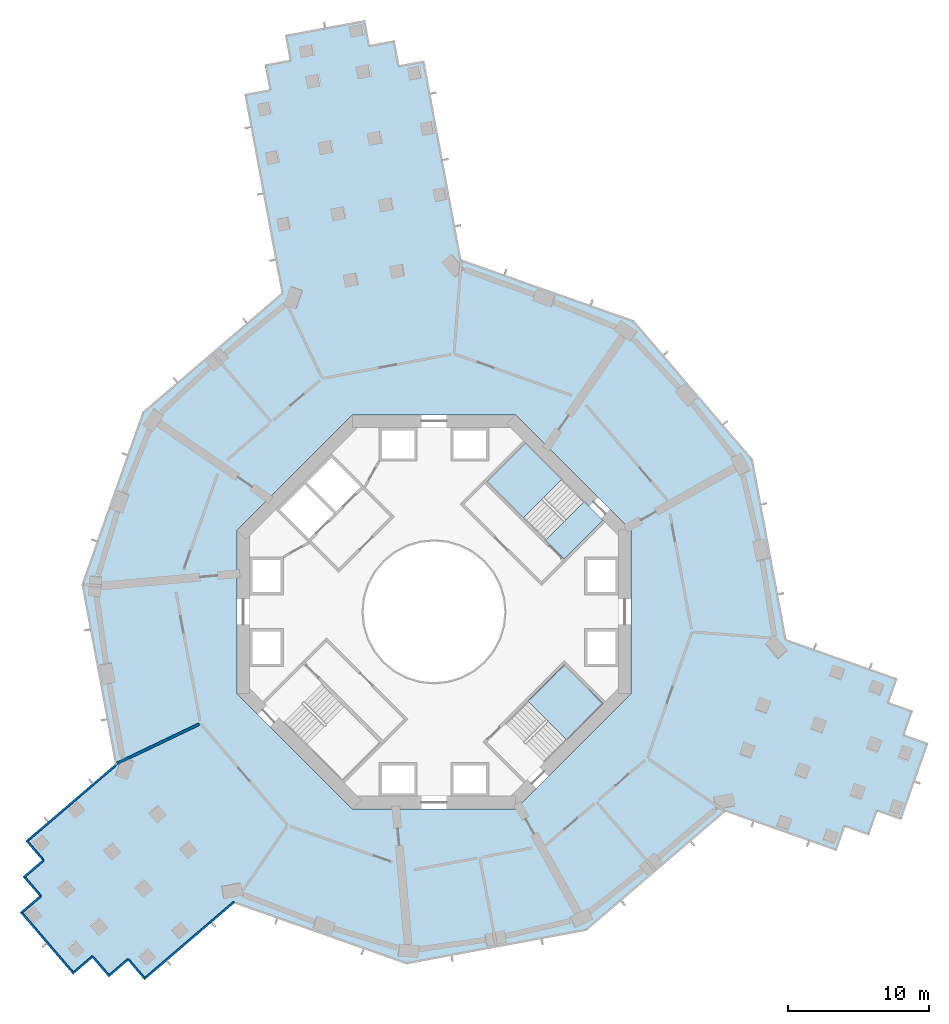
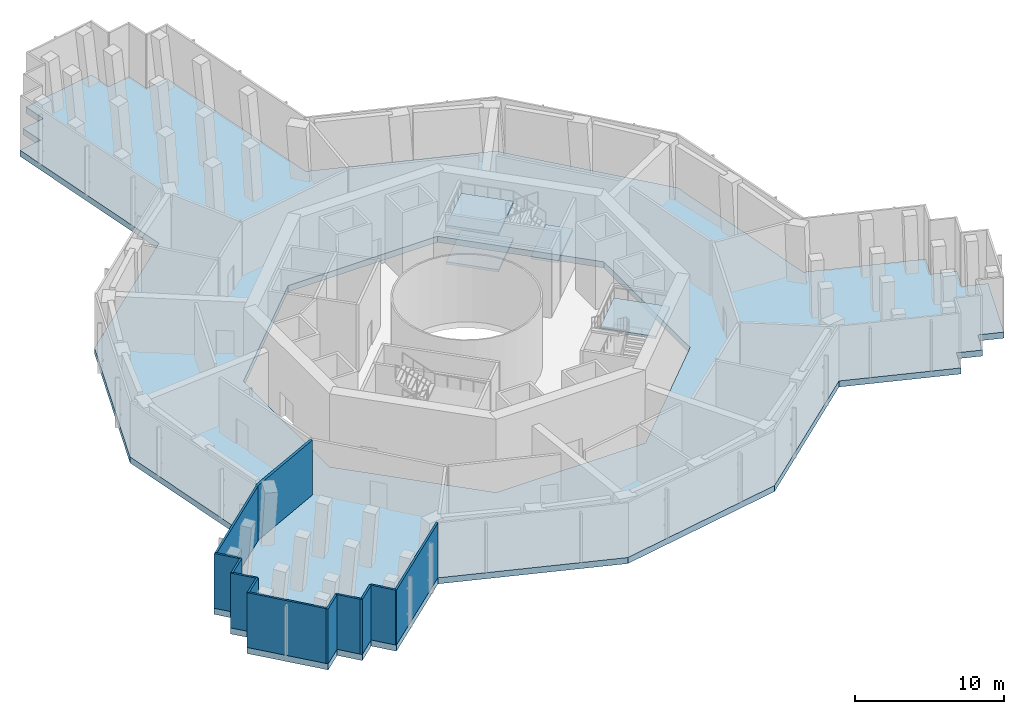
# One storey, part 2 of 20: 12 walls, 5 slabs, 2 elements without a shape of their own.
"""IFC4 building model written with IfcOpenShell, lengths in metres."""

import ifcopenshell
import ifcopenshell.guid

model = None  # the IFC model being written
_history = None  # IfcOwnerHistory: only IFC2X3 demands one
_inside = {}  # id of a spatial element -> (the spatial element, [elements in it])
_under = {}  # id of a project, library or spatial element -> (it, [spatial elements below it])
_declared = {}  # id of a project -> (the project, [libraries it declares])
_typed = {}  # id of a type object -> (the type object, [elements of that type])
_made_of = {}  # id of a material, layer set ... -> (it, [elements and type objects made of it])


def new_model(schema):
    """Start an empty IFC model of exactly this schema.

    Asked for "IFC4X3", IfcOpenShell would pick the latest addendum, in which some entities
    have other attributes; the version numbers below select the first issue.
    IFC2X3 requires an IfcOwnerHistory on every rooted entity: one is made here for all.
    """
    global model, _history
    if schema == "IFC4X3":
        model = ifcopenshell.file(schema_version=(4, 3, 0, 0))
    else:
        model = ifcopenshell.file(schema=schema)
    _inside.clear()
    _under.clear()
    _declared.clear()
    _typed.clear()
    _made_of.clear()
    _history = None
    if model.schema == "IFC2X3":
        org = make("IfcOrganization", Name="unknown")
        user = make(
            "IfcPersonAndOrganization",
            ThePerson=make("IfcPerson", FamilyName="unknown"),
            TheOrganization=org,
        )
        app = make(
            "IfcApplication",
            ApplicationDeveloper=org,
            Version="unknown",
            ApplicationFullName="unknown",
            ApplicationIdentifier="unknown",
        )
        _history = make(
            "IfcOwnerHistory",
            OwningUser=user,
            OwningApplication=app,
            ChangeAction="ADDED",
            CreationDate=0,
        )
    return model


def make(cls, **values):
    """One entity of the class cls with the attributes given. An attribute that is None is left unset."""
    return model.create_entity(
        cls, **{name: value for name, value in values.items() if value is not None}
    )


def rooted(cls, **values):
    """An entity with a GlobalId (a new one), such as an element, a storey or a relation."""
    return make(cls, GlobalId=ifcopenshell.guid.new(), OwnerHistory=_history, **values)


def si_unit(unit_type, name, prefix=None):
    """IfcSIUnit, for example si_unit("LENGTHUNIT", "METRE", prefix="MILLI")."""
    return make("IfcSIUnit", UnitType=unit_type, Prefix=prefix, Name=name)


def assignment(units):
    """IfcUnitAssignment: the units of a project."""
    return None if units is None else make("IfcUnitAssignment", Units=units)


def point(xyz):
    """IfcCartesianPoint."""
    return None if xyz is None else make("IfcCartesianPoint", Coordinates=xyz)


def direction(xyz):
    """IfcDirection."""
    return None if xyz is None else make("IfcDirection", DirectionRatios=xyz)


def frame(location, z_axis=None, x_axis=None):
    """IfcAxis2Placement3D, a coordinate frame: its origin and axes. An axis left out is left unset."""
    return make(
        "IfcAxis2Placement3D",
        Location=point(location),
        Axis=direction(z_axis),
        RefDirection=direction(x_axis),
    )


def frame_2d(location, x_axis=None):
    """IfcAxis2Placement2D, a coordinate frame in the plane: its origin and x axis."""
    return make(
        "IfcAxis2Placement2D", Location=point(location), RefDirection=direction(x_axis)
    )


def origin():
    """The frame at (0, 0, 0) with its axes left unset."""
    return frame((0.0, 0.0, 0.0))


def place(relative_to, where):
    """IfcLocalPlacement: puts the frame where relative to a parent placement (None: the world)."""
    return make(
        "IfcLocalPlacement", PlacementRelTo=relative_to, RelativePlacement=where
    )


def context(
    kind, dimensions, precision=None, world=None, true_north=None, identifier=None
):
    """IfcGeometricRepresentationContext, for example the 3D "Model" context."""
    return make(
        "IfcGeometricRepresentationContext",
        ContextIdentifier=identifier,
        ContextType=kind,
        CoordinateSpaceDimension=dimensions,
        Precision=precision,
        WorldCoordinateSystem=world,
        TrueNorth=true_north,
    )


def subcontext(parent, identifier, kind, view, scale=None):
    """IfcGeometricRepresentationSubContext, for example "Body" below "Model"."""
    return make(
        "IfcGeometricRepresentationSubContext",
        ContextIdentifier=identifier,
        ContextType=kind,
        ParentContext=parent,
        TargetScale=scale,
        TargetView=view,
    )


def project(units=None, contexts=None):
    """IfcProject with its units and contexts."""
    return rooted(
        "IfcProject",
        Name="project",
        RepresentationContexts=contexts,
        UnitsInContext=assignment(units),
    )


def spatial(cls, under=None, at=None, **own):
    """A site, building, storey or space (cls), placed at a placement, below another one or the project."""
    s = rooted(cls, ObjectPlacement=at, **own)
    if under is not None:
        _under.setdefault(under.id(), (under, []))[1].append(s)
    return s


def polyline(points):
    """IfcPolyline through the points."""
    return make("IfcPolyline", Points=[point(p) for p in points])


def profile(cls, at=None, kind="AREA", **sizes):
    """A parametric profile (cls). Its sizes go by their IFC names, for example OverallWidth=200.0."""
    return make(cls, ProfileType=kind, Position=at, **sizes)


def rectangle(**sizes):
    """IfcRectangleProfileDef."""
    return profile("IfcRectangleProfileDef", **sizes)


def outline(outer, holes=None, kind="AREA"):
    """IfcArbitraryClosedProfileDef: a profile drawn as a closed curve; with holes, ...WithVoids."""
    if holes is None:
        return make("IfcArbitraryClosedProfileDef", ProfileType=kind, OuterCurve=outer)
    return make(
        "IfcArbitraryProfileDefWithVoids",
        ProfileType=kind,
        OuterCurve=outer,
        InnerCurves=holes,
    )


def extrude(swept, where, along, depth):
    """IfcExtrudedAreaSolid: the profile swept, set in the frame where, extruded along a direction by depth."""
    return make(
        "IfcExtrudedAreaSolid",
        SweptArea=swept,
        Position=where,
        ExtrudedDirection=direction(along),
        Depth=depth,
    )


def shape(context_of_items, identifier, shape_type, items):
    """IfcShapeRepresentation: the items that make up one representation, for example the "Body"."""
    return make(
        "IfcShapeRepresentation",
        ContextOfItems=context_of_items,
        RepresentationIdentifier=identifier,
        RepresentationType=shape_type,
        Items=items,
    )


def material(Name=None, Category=None):
    """IfcMaterial."""
    return make("IfcMaterial", Name=Name, Category=Category)


def layer(
    of_material, thickness, ventilated=None, Name=None, Category=None, Priority=None
):
    """IfcMaterialLayer: one layer of a wall or slab, of a material (None: an air gap)."""
    return make(
        "IfcMaterialLayer",
        Material=of_material,
        LayerThickness=thickness,
        IsVentilated=ventilated,
        Name=Name,
        Category=Category,
        Priority=Priority,
    )


def layer_set(layers, Name=None):
    """IfcMaterialLayerSet."""
    return make("IfcMaterialLayerSet", MaterialLayers=layers, LayerSetName=Name)


def made_of(thing, what):
    """Note that an element or type object is made of a material, layer set ...; save() writes the relation."""
    if what is not None:
        _made_of.setdefault(what.id(), (what, []))[1].append(thing)
    return thing


def type_object(cls, material=None, **own):
    """A type object (cls), such as IfcWallType, which elements share."""
    return made_of(rooted(cls, **own), material)


def element(
    cls,
    number,
    at=None,
    inside=None,
    cuts=None,
    type_object=None,
    material=None,
    context=None,
    identifier="Body",
    shape_type=None,
    held_by="IfcProductDefinitionShape",
    body=None,
    shapes=None,
    **own,
):
    """One element of the class cls, such as IfcWall. Its Tag is "e" and its number.

    at: its placement. inside: the storey or other place that contains it. cuts: it is an
    opening in that element (IfcRelVoidsElement). A single representation is given by context,
    identifier, shape_type and body (its items); several are given by shapes. held_by: the class
    of the entity that holds the representations. save() writes the other relations.
    """
    e = rooted(cls, Tag="e%d" % number, ObjectPlacement=at, **own)
    if body is not None:
        shapes = [shape(context, identifier, shape_type, body)]
    if shapes is not None:
        e.Representation = make(held_by, Representations=shapes)
    if inside is not None:
        _inside.setdefault(inside.id(), (inside, []))[1].append(e)
    if cuts is not None:
        rooted(
            "IfcRelVoidsElement", RelatingBuildingElement=cuts, RelatedOpeningElement=e
        )
    if type_object is not None:
        _typed.setdefault(type_object.id(), (type_object, []))[1].append(e)
    return made_of(e, material)


def aggregate(whole, parts):
    """IfcRelAggregates: a whole, such as a stair, and the parts it consists of."""
    return rooted("IfcRelAggregates", RelatingObject=whole, RelatedObjects=parts)


def save(model, path):
    """Write the relations noted so far, then the file.

    IfcRelAggregates (storeys below a building ...), IfcRelContainedInSpatialStructure (elements
    in a storey), IfcRelDefinesByType, IfcRelAssociatesMaterial and IfcRelDeclares: one each for
    every whole, place, type object, material and project.
    """
    for whole, parts in _under.values():
        aggregate(whole, parts)
    for where, things in _inside.values():
        rooted(
            "IfcRelContainedInSpatialStructure",
            RelatedElements=things,
            RelatingStructure=where,
        )
    for kind, things in _typed.values():
        rooted("IfcRelDefinesByType", RelatedObjects=things, RelatingType=kind)
    for what, things in _made_of.values():
        rooted("IfcRelAssociatesMaterial", RelatedObjects=things, RelatingMaterial=what)
    for by, libraries in _declared.values():
        rooted("IfcRelDeclares", RelatingContext=by, RelatedDefinitions=libraries)
    model.write(path)


model = new_model("IFC4")

# Units and contexts
model_context = context("Model", 3, precision=1e-05, world=origin(), true_north=direction((0.0, 1.0)))
body_context = subcontext(model_context, "Body", "Model", "MODEL_VIEW")
ifc_project = project(units=[si_unit("LENGTHUNIT", "METRE"), si_unit("AREAUNIT", "SQUARE_METRE"), si_unit("VOLUMEUNIT", "CUBIC_METRE"), si_unit("PLANEANGLEUNIT", "RADIAN"), si_unit("MASSUNIT", "GRAM", prefix="KILO")], contexts=[model_context])

# Site, building, storey
site_placement = place(None, origin())
site = spatial("IfcSite", under=ifc_project, at=site_placement, CompositionType="ELEMENT")
building_placement = place(site_placement, origin())
building = spatial("IfcBuilding", under=site, at=building_placement, Name="Verdalira Terraces Hotel", CompositionType="ELEMENT")
storey_placement = place(building_placement, frame((0.0, 0.0, 75.0)))
storey = spatial("IfcBuildingStorey", under=building, at=storey_placement, Name="L17", CompositionType="ELEMENT", Elevation=75.0)

# Stair, slabs
ifc_material_1 = material(Name="Concrete C40", Category="concrete")
stair_type = type_object("IfcStairType", Name="Core stair 36 risers 1900 mm wide", PredefinedType="HALF_TURN_STAIR", material=ifc_material_1)
stair_1_placement = place(storey_placement, origin())
stair_1 = element("IfcStair", 1, at=stair_1_placement, inside=storey, type_object=stair_type, Name="L17 Exit stair ST1", PredefinedType="HALF_TURN_STAIR")
ifc_material_2 = material(Name="Concrete C40", Category="concrete")
ifc_layer_1 = layer(ifc_material_2, 0.199951171875)
ifc_layer_set_1 = layer_set([ifc_layer_1], Name="Core stair landing 200 mm")
slab_type_1 = type_object("IfcSlabType", Name="Core stair landing 200 mm", PredefinedType="LANDING", material=ifc_layer_set_1)
slab_1_placement = place(storey_placement, frame((0.0, 0.0, 1.300049)))
slab_1 = element("IfcSlab", 2, at=slab_1_placement, type_object=slab_type_1, Name="ST1 landing 1", PredefinedType="LANDING", context=body_context, shape_type="SweptSolid", body=[
    extrude(outline(polyline([(9.09375, 9.432373), (6.505371, 12.020752), (3.747559, 9.263184), (6.335938, 6.674805), (9.09375, 9.432373)])), origin(), (0.0, 0.0, 1.0), 0.199951),
])
slab_2_placement = place(storey_placement, frame((0.0, 0.0, 2.800049)))
slab_2 = element("IfcSlab", 3, at=slab_2_placement, type_object=slab_type_1, Name="ST1 landing 2", PredefinedType="LANDING", context=body_context, shape_type="SweptSolid", body=[
    extrude(outline(polyline([(12.020752, 6.505371), (10.677002, 7.849121), (7.919189, 5.091553), (9.263184, 3.747559), (12.020752, 6.505371)])), origin(), (0.0, 0.0, 1.0), 0.199951),
])
slab_3_placement = place(storey_placement, frame((0.0, 0.0, 4.300049)))
slab_3 = element("IfcSlab", 4, at=slab_3_placement, type_object=slab_type_1, Name="ST1 landing 3", PredefinedType="LANDING", context=body_context, shape_type="SweptSolid", body=[
    extrude(outline(polyline([(9.09375, 9.432373), (6.505371, 12.020752), (3.747559, 9.263184), (6.335938, 6.674805), (9.09375, 9.432373)])), origin(), (0.0, 0.0, 1.0), 0.199951),
])
aggregate(stair_1, [slab_1, slab_2, slab_3])

# Stair, slab
stair_2_placement = place(storey_placement, origin())
stair_2 = element("IfcStair", 5, at=stair_2_placement, inside=storey, type_object=stair_type, Name="L17 Exit stair ST3", PredefinedType="HALF_TURN_STAIR")
slab_4_placement = place(storey_placement, frame((0.0, 0.0, 4.300049)))
slab_4 = element("IfcSlab", 6, at=slab_4_placement, type_object=slab_type_1, Name="ST3 landing 3", PredefinedType="LANDING", context=body_context, shape_type="SweptSolid", body=[
    extrude(outline(polyline([(9.432373, -9.09375), (12.020752, -6.505371), (9.263184, -3.747559), (6.674805, -6.335938), (9.432373, -9.09375)])), origin(), (0.0, 0.0, 1.0), 0.199951),
])
aggregate(stair_2, [slab_4])

# Slab
ifc_material_3 = material(Name="Concrete C40", Category="concrete")
ifc_layer_2 = layer(ifc_material_3, 0.5)
ifc_layer_set_2 = layer_set([ifc_layer_2], Name="Plant floor slab 500 C40")
slab_type_2 = type_object("IfcSlabType", Name="Plant floor slab 500 C40", PredefinedType="FLOOR", material=ifc_layer_set_2)
slab_5_placement = place(storey_placement, frame((0.0, 0.0, -0.5)))
element("IfcSlab", 7, at=slab_5_placement, inside=storey, type_object=slab_type_2, Name="Plant floor slab L17", PredefinedType="FLOOR", context=body_context, shape_type="SweptSolid", body=[
    extrude(outline(polyline([(14.203125, 20.711914), (1.944092, 25.038818), (-0.689209, 39.165283), (-2.45874, 38.835449), (-2.788818, 40.60498), (-4.558105, 40.274902), (-4.888184, 42.044434), (-10.589844, 40.981689), (-10.26001, 39.212158), (-12.029541, 38.88208), (-11.699707, 37.112793), (-13.468994, 36.782715), (-10.835693, 22.65625), (-20.711914, 14.203125), (-25.038818, 1.944092), (-22.65625, -10.835693), (-29.015137, -16.278076), (-27.844727, -17.645508), (-29.212158, -18.816162), (-28.041748, -20.183594), (-29.40918, -21.354004), (-25.637695, -25.760498), (-24.270264, -24.590088), (-23.099854, -25.95752), (-21.732422, -24.787109), (-20.562012, -26.154541), (-14.203125, -20.711914), (-1.944092, -25.038818), (10.835693, -22.65625), (20.711914, -14.203125), (28.604736, -16.98877), (29.203857, -15.291504), (30.901367, -15.890381), (31.500244, -14.193115), (33.197754, -14.791992), (35.128174, -9.322754), (33.430664, -8.723633), (34.029785, -7.026367), (32.33252, -6.427246), (32.931396, -4.72998), (25.038818, -1.944092), (22.65625, 10.835693), (14.203125, 20.711914)]), holes=[polyline([(5.799072, 14.0), (14.0, 5.799072), (14.0, -5.799072), (5.799072, -14.0), (-5.799072, -14.0), (-14.0, -5.799072), (-14.0, 5.799072), (-5.799072, 14.0), (5.799072, 14.0)])]), origin(), (0.0, 0.0, 1.0), 0.5),
])

# Walls
ifc_material_4 = material(Name="Fire-rated concrete block wall", Category="concrete")
ifc_layer_3 = layer(ifc_material_4, 0.199951171875)
ifc_layer_set_3 = layer_set([ifc_layer_3], Name="Plant room wall 200 mm")
wall_type_1 = type_object("IfcWallType", Name="Plant room wall 200 mm", PredefinedType="SOLIDWALL", material=ifc_layer_set_3)
wall_1_placement = place(storey_placement, frame((-16.678955, -7.976807, 0.0), z_axis=(0.0, 0.0, 1.0), x_axis=(-0.902124013, -0.431476841, 0.0)))
element("IfcWall", 8, at=wall_1_placement, inside=storey, type_object=wall_type_1, Name="Plant room wall", PredefinedType="SOLIDWALL", context=body_context, shape_type="SweptSolid", body=[
    extrude(rectangle(XDim=6.47583, YDim=0.199951, at=frame_2d((3.237793, 0.0))), origin(), (0.0, 0.0, 1.0), 4.5),
])
ifc_material_5 = material(Name="Terracotta cladding", Category="masonry")
ifc_layer_4 = layer(ifc_material_5, 0.14990234375)
ifc_layer_set_4 = layer_set([ifc_layer_4], Name="Terracotta clad wall 150")
wall_type_2 = type_object("IfcWallType", Name="Terracotta clad wall 150", PredefinedType="SOLIDWALL", material=ifc_layer_set_4)
wall_2_placement = place(storey_placement, frame((-22.598633, -10.88501, 0.0), z_axis=(0.0, 0.0, 1.0), x_axis=(-0.759725277, -0.650244188, 0.0)))
element("IfcWall", 9, at=wall_2_placement, inside=storey, type_object=wall_type_2, Name="Terracotta cladding wall", PredefinedType="SOLIDWALL", context=body_context, shape_type="SweptSolid", body=[
    extrude(rectangle(XDim=8.306641, YDim=0.149902, at=frame_2d((4.15332, 0.0))), origin(), (0.0, 0.0, 1.0), 4.5),
])
wall_3_placement = place(storey_placement, frame((-28.958008, -16.229248, 0.0), z_axis=(0.0, 0.0, 1.0), x_axis=(0.650158461, -0.759798642, 0.0)))
element("IfcWall", 10, at=wall_3_placement, inside=storey, type_object=wall_type_2, Name="Terracotta cladding wall", PredefinedType="SOLIDWALL", context=body_context, shape_type="SweptSolid", body=[
    extrude(rectangle(XDim=1.875, YDim=0.149902, at=frame_2d((0.9375, 0.0))), origin(), (0.0, 0.0, 1.0), 4.5),
])
wall_4_placement = place(storey_placement, frame((-27.739014, -17.653809, 0.0), z_axis=(0.0, 0.0, 1.0), x_axis=(-0.759715991, -0.650255037, 0.0)))
element("IfcWall", 11, at=wall_4_placement, inside=storey, type_object=wall_type_2, Name="Terracotta cladding wall", PredefinedType="SOLIDWALL", context=body_context, shape_type="SweptSolid", body=[
    extrude(rectangle(XDim=1.799805, YDim=0.149902, at=frame_2d((0.899902, 0.0))), origin(), (0.0, 0.0, 1.0), 4.5),
])
wall_5_placement = place(storey_placement, frame((-29.155273, -18.767334, 0.0), z_axis=(0.0, 0.0, 1.0), x_axis=(0.650297948, -0.759679261, 0.0)))
element("IfcWall", 12, at=wall_5_placement, inside=storey, type_object=wall_type_2, Name="Terracotta cladding wall", PredefinedType="SOLIDWALL", context=body_context, shape_type="SweptSolid", body=[
    extrude(rectangle(XDim=1.875, YDim=0.149902, at=frame_2d((0.9375, 0.0))), origin(), (0.0, 0.0, 1.0), 4.5),
])
wall_6_placement = place(storey_placement, frame((-27.936035, -20.19165, 0.0), z_axis=(0.0, 0.0, 1.0), x_axis=(-0.759648986, -0.650333313, 0.0)))
element("IfcWall", 13, at=wall_6_placement, inside=storey, type_object=wall_type_2, Name="Terracotta cladding wall", PredefinedType="SOLIDWALL", context=body_context, shape_type="SweptSolid", body=[
    extrude(rectangle(XDim=1.800049, YDim=0.149902, at=frame_2d((0.899902, 0.0))), origin(), (0.0, 0.0, 1.0), 4.5),
])
wall_7_placement = place(storey_placement, frame((-29.352295, -21.305176, 0.0), z_axis=(0.0, 0.0, 1.0), x_axis=(0.65025037, -0.759719986, 0.0)))
element("IfcWall", 14, at=wall_7_placement, inside=storey, type_object=wall_type_2, Name="Terracotta cladding wall", PredefinedType="SOLIDWALL", context=body_context, shape_type="SweptSolid", body=[
    extrude(rectangle(XDim=5.724854, YDim=0.149902, at=frame_2d((2.862305, 0.0))), origin(), (0.0, 0.0, 1.0), 4.5),
])
wall_8_placement = place(storey_placement, frame((-25.686523, -25.703369, 0.0), z_axis=(0.0, 0.0, 1.0), x_axis=(0.759679261, 0.650297948, 0.0)))
element("IfcWall", 15, at=wall_8_placement, inside=storey, type_object=wall_type_2, Name="Terracotta cladding wall", PredefinedType="SOLIDWALL", context=body_context, shape_type="SweptSolid", body=[
    extrude(rectangle(XDim=1.875, YDim=0.149902, at=frame_2d((0.9375, 0.0))), origin(), (0.0, 0.0, 1.0), 4.5),
])
wall_9_placement = place(storey_placement, frame((-24.262207, -24.484131, 0.0), z_axis=(0.0, 0.0, 1.0), x_axis=(0.650266314, -0.759706338, 0.0)))
element("IfcWall", 16, at=wall_9_placement, inside=storey, type_object=wall_type_2, Name="Terracotta cladding wall", PredefinedType="SOLIDWALL", context=body_context, shape_type="SweptSolid", body=[
    extrude(rectangle(XDim=1.800293, YDim=0.149902, at=frame_2d((0.900146, 0.0))), origin(), (0.0, 0.0, 1.0), 4.5),
])
wall_10_placement = place(storey_placement, frame((-23.148682, -25.900391, 0.0), z_axis=(0.0, 0.0, 1.0), x_axis=(0.759798642, 0.650158461, 0.0)))
element("IfcWall", 17, at=wall_10_placement, inside=storey, type_object=wall_type_2, Name="Terracotta cladding wall", PredefinedType="SOLIDWALL", context=body_context, shape_type="SweptSolid", body=[
    extrude(rectangle(XDim=1.875, YDim=0.149902, at=frame_2d((0.9375, 0.0))), origin(), (0.0, 0.0, 1.0), 4.5),
])
wall_11_placement = place(storey_placement, frame((-21.724121, -24.681396, 0.0), z_axis=(0.0, 0.0, 1.0), x_axis=(0.650255037, -0.759715991, 0.0)))
element("IfcWall", 18, at=wall_11_placement, inside=storey, type_object=wall_type_2, Name="Terracotta cladding wall", PredefinedType="SOLIDWALL", context=body_context, shape_type="SweptSolid", body=[
    extrude(rectangle(XDim=1.799805, YDim=0.149902, at=frame_2d((0.899902, 0.0))), origin(), (0.0, 0.0, 1.0), 4.5),
])
wall_12_placement = place(storey_placement, frame((-20.610596, -26.097656, 0.0), z_axis=(0.0, 0.0, 1.0), x_axis=(0.759711486, 0.650260301, 0.0)))
element("IfcWall", 19, at=wall_12_placement, inside=storey, type_object=wall_type_2, Name="Terracotta cladding wall", PredefinedType="SOLIDWALL", context=body_context, shape_type="SweptSolid", body=[
    extrude(rectangle(XDim=8.445068, YDim=0.149902, at=frame_2d((4.222656, 0.0))), origin(), (0.0, 0.0, 1.0), 4.5),
])

save(model, "model.ifc")
